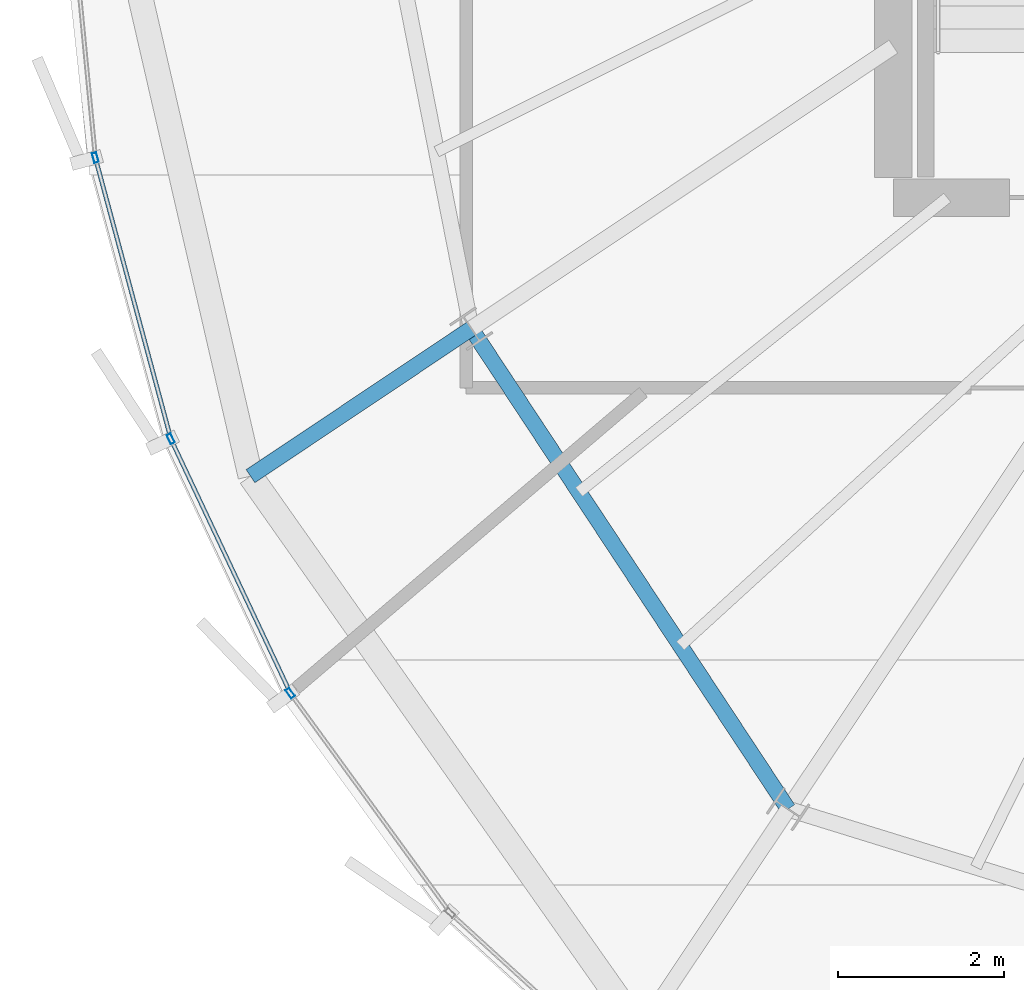
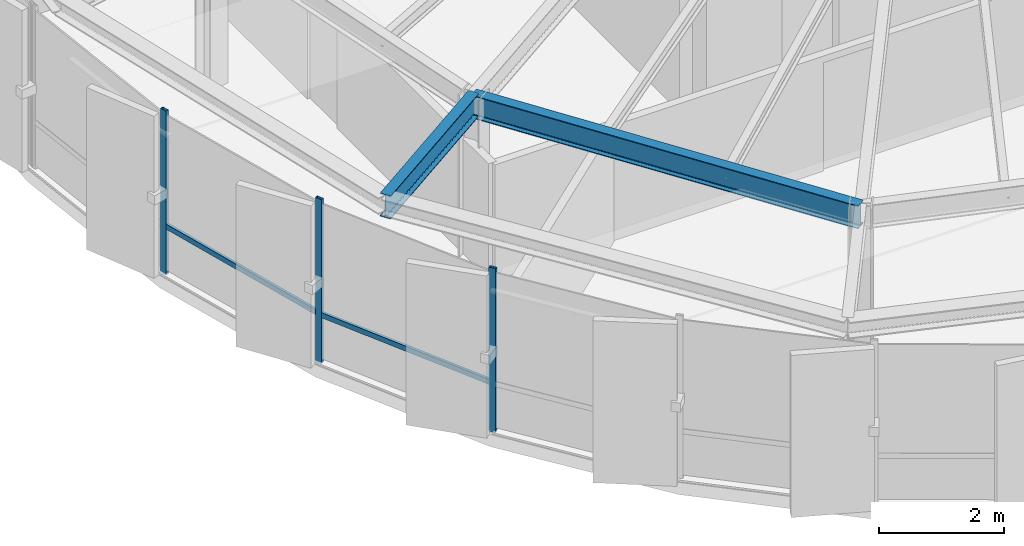
# One storey, part 4 of 30: 5 members, 2 beams, 1 element without a shape of its own.
"""IFC4 building model written with IfcOpenShell, lengths in metres."""

from ifc_helpers import new_model, si_unit, direction, frame, origin, origin_2d, place, context, subcontext, project, spatial, hollow_rectangle, i_section, extrude, source, transform, mapped, material, layer, layer_set, material_profile, profile_set, type_object, element, aggregate, save


model = new_model("IFC4")

# Units and contexts
model_context = context("Model", 3, precision=1e-05, world=origin(), true_north=direction((0.0, 1.0)))
body_context = subcontext(model_context, "Body", "Model", "MODEL_VIEW")
ifc_project = project(units=[si_unit("LENGTHUNIT", "METRE"), si_unit("AREAUNIT", "SQUARE_METRE"), si_unit("VOLUMEUNIT", "CUBIC_METRE"), si_unit("PLANEANGLEUNIT", "RADIAN"), si_unit("MASSUNIT", "GRAM", prefix="KILO"), si_unit("THERMODYNAMICTEMPERATUREUNIT", "KELVIN")], contexts=[model_context])

# Site, building, storey
site_placement = place(None, origin())
site = spatial("IfcSite", under=ifc_project, at=site_placement, CompositionType="ELEMENT")
building_placement = place(site_placement, origin())
building = spatial("IfcBuilding", under=site, at=building_placement, Name="Kethvar Cultural Tower", CompositionType="ELEMENT")
storey_placement = place(building_placement, frame((0.0, 0.0, 297.39990234375)))
storey = spatial("IfcBuildingStorey", under=building, at=storey_placement, Name="L79", CompositionType="ELEMENT", Elevation=297.39990234375)

# Beams
ifc_material_1 = material(Name="Steel S355J2", Category="steel")
ifc_material_profile_1 = material_profile(ifc_material_1, i_section(OverallWidth=0.18994140625, OverallDepth=0.449951171875, WebThickness=0.009521484375, FlangeThickness=0.0146484375, FilletRadius=0.02099609375, at=origin_2d()), Name="Steel S355J2 — IPE450")
ifc_profile_set_1 = profile_set([ifc_material_profile_1], Name="Steel S355J2 — IPE450")
beam_type = type_object("IfcBeamType", Name="BM-IPE450", PredefinedType="BEAM", material=ifc_profile_set_1)
shared_shape_1 = source(origin(), body_context, "Body", "SweptSolid", [
    extrude(i_section(OverallWidth=0.18994140625, OverallDepth=0.449951171875, WebThickness=0.009521484375, FlangeThickness=0.0146484375, FilletRadius=0.02099609375, at=origin_2d()), origin(), (0.0, 0.0, 1.0), 3.199951171875),
])
beam_1_placement = place(storey_placement, frame((32.912841796875, 18.52099609375, 2.983154296875), z_axis=(-0.831462943996, -0.555580212716, 0.0), x_axis=(0.555580212716, -0.831462943996, 0.0)))
element("IfcBeam", 1, at=beam_1_placement, inside=storey, type_object=beam_type, Name="L79 Perimeter Cantilever Beam RC-10", PredefinedType="BEAM", context=body_context, shape_type="MappedRepresentation", body=[
    mapped(shared_shape_1, transform((0.0, 0.0, 0.0), scale=1.0)),
])
shared_shape_2 = source(origin(), body_context, "Body", "SweptSolid", [
    extrude(i_section(OverallWidth=0.18994140625, OverallDepth=0.449951171875, WebThickness=0.009521484375, FlangeThickness=0.0146484375, FilletRadius=0.02099609375, at=origin_2d()), origin(), (0.0, 0.0, 1.0), 6.935791015625),
])
beam_2_placement = place(storey_placement, frame((32.912841796875, 18.52099609375, 2.983154296875), z_axis=(0.550534204139, -0.834812607759, 0.0), x_axis=(0.834812607759, 0.550534204139, 0.0)))
element("IfcBeam", 2, at=beam_2_placement, inside=storey, type_object=beam_type, Name="L79 Column Ring Tie Beam CR-10", PredefinedType="BEAM", context=body_context, shape_type="MappedRepresentation", body=[
    mapped(shared_shape_2, transform((0.0, 0.0, 0.0), scale=1.0)),
])

# Curtain wall, members
ifc_material_2 = material(Name="Aluminium 6063-T6", Category="aluminium")
ifc_layer = layer(ifc_material_2, 0.179931640625, Name="Aluminium 6063-T6", Category="aluminium")
ifc_layer_set = layer_set([ifc_layer], Name="Aluminium 6063-T6 (180 mm)")
curtain_wall_type = type_object("IfcCurtainWallType", Name="CW-SYS-05-Z56", PredefinedType="NOTDEFINED", material=ifc_layer_set)
curtain_wall_placement = place(storey_placement, origin())
curtain_wall = element("IfcCurtainWall", 3, at=curtain_wall_placement, inside=storey, type_object=curtain_wall_type, Name="L79 Curtain Wall Run 03", PredefinedType="NOTDEFINED")
ifc_material_profile_2 = material_profile(ifc_material_2, hollow_rectangle(XDim=0.054931640625, YDim=0.1201171875, WallThickness=0.00390625, at=origin_2d()), Name="Aluminium 6063-T6 — RHS120x55x4")
ifc_profile_set_2 = profile_set([ifc_material_profile_2], Name="Aluminium 6063-T6 — RHS120x55x4")
member_type_1 = type_object("IfcMemberType", Name="CW-SYS-05-Z56-MUL", PredefinedType="MULLION", material=ifc_profile_set_2)
shared_shape_3 = source(origin(), body_context, "Body", "SweptSolid", [
    extrude(hollow_rectangle(XDim=0.054931640625, YDim=0.1201171875, WallThickness=0.00390625, at=origin_2d()), origin(), (0.0, 0.0, 1.0), 3.210205078125),
])
member_1_placement = place(storey_placement, frame((28.3818359375, 20.582275390625, 0.0), z_axis=(0.0, 0.0, 1.0), x_axis=(0.965731312771, 0.259543891344, 0.0)))
member_1 = element("IfcMember", 4, at=member_1_placement, type_object=member_type_1, Name="CW-L79-R03 Mullion 2", PredefinedType="MULLION", context=body_context, shape_type="MappedRepresentation", body=[
    mapped(shared_shape_3, transform((0.0, 0.0, 0.0), scale=1.0)),
])
member_2_placement = place(storey_placement, frame((29.291015625, 17.193603515625, 0.0), z_axis=(0.0, 0.0, 1.0), x_axis=(0.904841914416, 0.425747706883, 0.0)))
member_2 = element("IfcMember", 5, at=member_2_placement, type_object=member_type_1, Name="CW-L79-R03 Mullion 3", PredefinedType="MULLION", context=body_context, shape_type="MappedRepresentation", body=[
    mapped(shared_shape_3, transform((0.0, 0.0, 0.0), scale=1.0)),
])
member_3_placement = place(storey_placement, frame((30.731201171875, 14.128173828125, 0.0), z_axis=(0.0, 0.0, 1.0), x_axis=(0.808318827188, 0.588744998802, 0.0)))
member_3 = element("IfcMember", 6, at=member_3_placement, type_object=member_type_1, Name="CW-L79-R03 Mullion 4", PredefinedType="MULLION", context=body_context, shape_type="MappedRepresentation", body=[
    mapped(shared_shape_3, transform((0.0, 0.0, 0.0), scale=1.0)),
])
ifc_material_profile_3 = material_profile(ifc_material_2, hollow_rectangle(XDim=0.050048828125, YDim=0.10009765625, WallThickness=0.00390625, at=origin_2d()), Name="Aluminium 6063-T6 — RHS100x50x4")
ifc_profile_set_3 = profile_set([ifc_material_profile_3], Name="Aluminium 6063-T6 — RHS100x50x4")
member_type_2 = type_object("IfcMemberType", Name="CW-SYS-05-Z56-TRN", PredefinedType="USERDEFINED", material=ifc_profile_set_3)
shared_shape_4 = source(origin(), body_context, "Body", "SweptSolid", [
    extrude(hollow_rectangle(XDim=0.050048828125, YDim=0.10009765625, WallThickness=0.00390625, at=origin_2d()), origin(), (0.0, 0.0, 1.0), 3.447021484375),
])
member_4_placement = place(storey_placement, frame((28.39208984375, 20.5439453125, 0.9501953125), z_axis=(0.259513697159, -0.965739427064, 0.0), x_axis=(0.965739427064, 0.259513697159, 0.0)))
member_4 = element("IfcMember", 7, at=member_4_placement, type_object=member_type_2, Name="CW-L79-R03 Transom 2", ObjectType="TRANSOM", PredefinedType="USERDEFINED", context=body_context, shape_type="MappedRepresentation", body=[
    mapped(shared_shape_4, transform((0.0, 0.0, 0.0), scale=1.0)),
])
shared_shape_5 = source(origin(), body_context, "Body", "SweptSolid", [
    extrude(hollow_rectangle(XDim=0.050048828125, YDim=0.10009765625, WallThickness=0.00390625, at=origin_2d()), origin(), (0.0, 0.0, 1.0), 3.32666015625),
])
member_5_placement = place(storey_placement, frame((29.3076171875, 17.15771484375, 0.9501953125), z_axis=(0.425804104964, -0.904815375751, 0.0), x_axis=(0.904815375751, 0.425804104964, 0.0)))
member_5 = element("IfcMember", 8, at=member_5_placement, type_object=member_type_2, Name="CW-L79-R03 Transom 3", ObjectType="TRANSOM", PredefinedType="USERDEFINED", context=body_context, shape_type="MappedRepresentation", body=[
    mapped(shared_shape_5, transform((0.0, 0.0, 0.0), scale=1.0)),
])
aggregate(curtain_wall, [member_1, member_2, member_3, member_4, member_5])

save(model, "model.ifc")
